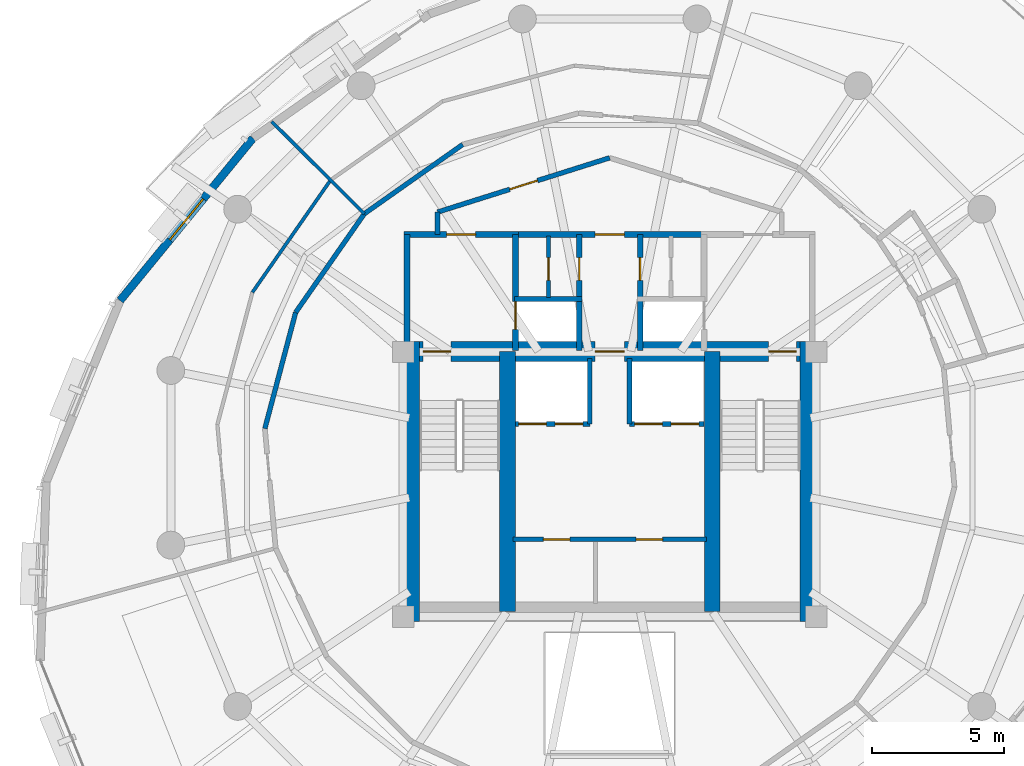
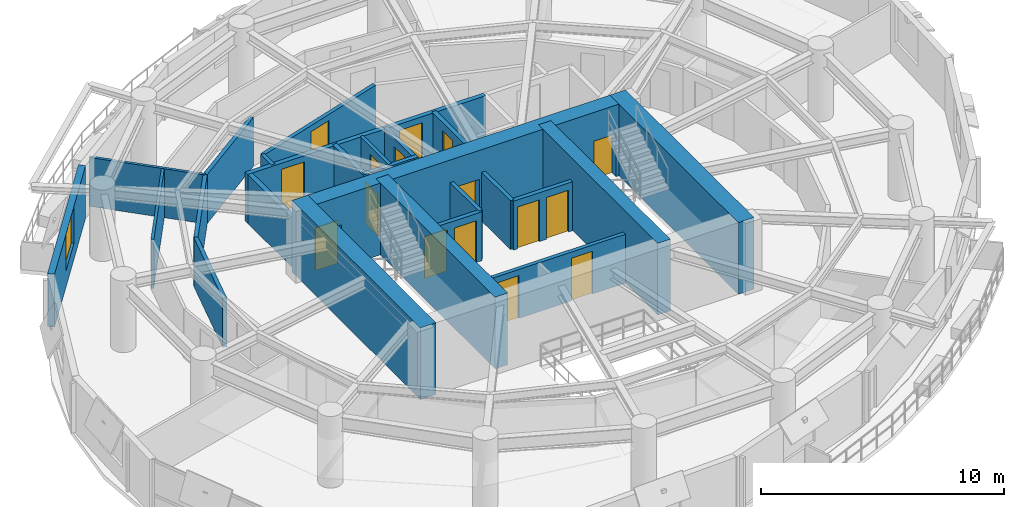
# One storey, part 7 of 11: 26 walls, 16 doors, 1 window, 17 openings.
"""IFC4 building model written with IfcOpenShell, lengths in metres."""

from ifc_helpers import new_model, si_unit, direction, frame, frame_2d, origin, place, context, subcontext, project, spatial, rectangle, extrude, material, layer, layer_set, type_object, element, fill, save


model = new_model("IFC4")

# Units and contexts
model_context = context("Model", 3, precision=1e-05, world=origin(), true_north=direction((0.0, 1.0)))
body_context = subcontext(model_context, "Body", "Model", "MODEL_VIEW")
ifc_project = project(units=[si_unit("LENGTHUNIT", "METRE"), si_unit("AREAUNIT", "SQUARE_METRE"), si_unit("VOLUMEUNIT", "CUBIC_METRE"), si_unit("PLANEANGLEUNIT", "RADIAN"), si_unit("MASSUNIT", "GRAM", prefix="KILO"), si_unit("THERMODYNAMICTEMPERATUREUNIT", "KELVIN"), si_unit("POWERUNIT", "WATT")], contexts=[model_context])

# Site, building, storey
site_placement = place(None, origin())
site = spatial("IfcSite", under=ifc_project, at=site_placement, CompositionType="ELEMENT")
building_placement = place(site_placement, origin())
building = spatial("IfcBuilding", under=site, at=building_placement, Name="Ocrelia Relay Tower", CompositionType="ELEMENT")
storey_placement = place(building_placement, frame((0.0, 0.0, 180.800048828125)))
storey = spatial("IfcBuildingStorey", under=building, at=storey_placement, Name="L43", CompositionType="ELEMENT", Elevation=180.800048828125)

# Wall, openings, doors
ifc_material_1 = material(Name="Concrete C60/75", Category="concrete")
ifc_layer_1 = layer(ifc_material_1, 0.75, Name="Concrete C60/75")
ifc_layer_set_1 = layer_set([ifc_layer_1], Name="Concrete C60/75")
wall_type_1 = type_object("IfcWallType", Name="CW-CORE-750", PredefinedType="SHEAR", material=ifc_layer_set_1)
wall_1_placement = place(storey_placement, frame((26.072021484375, 30.012939453125, 0.0), z_axis=(0.0, 0.0, 1.0), x_axis=(1.0, 0.0, 0.0)))
wall_1 = element("IfcWall", 1, at=wall_1_placement, inside=storey, type_object=wall_type_1, Name="L43 Core Shear Wall N", PredefinedType="SHEAR", context=body_context, shape_type="SweptSolid", body=[
    extrude(rectangle(XDim=15.865966796875, YDim=0.75, at=frame_2d((7.93310546875, 0.0))), origin(), (0.0, 0.0, 1.0), 3.599853515625),
])
opening_1_placement = place(wall_1_placement, frame((0.8779296875, 0.0, 0.0)))
opening_1 = element("IfcOpeningElement", 2, at=opening_1_placement, cuts=wall_1, Name="Opening D-FD90", PredefinedType="OPENING", context=body_context, shape_type="SweptSolid", body=[
    extrude(rectangle(XDim=1.050048828125, YDim=2.14990234375, at=frame_2d((0.52490234375, 1.074951171875))), frame((0.0, 0.385009765625, 0.0), z_axis=(0.0, -1.0, 0.0), x_axis=(1.0, 0.0, 0.0)), (0.0, 0.0, 1.0), 0.77001953125),
])
opening_2_placement = place(wall_1_placement, frame((13.927978515625, 0.0, 0.0)))
opening_2 = element("IfcOpeningElement", 3, at=opening_2_placement, cuts=wall_1, Name="Opening D-FD90", PredefinedType="OPENING", context=body_context, shape_type="SweptSolid", body=[
    extrude(rectangle(XDim=1.050048828125, YDim=2.14990234375, at=frame_2d((0.52490234375, 1.074951171875))), frame((0.0, 0.385009765625, 0.0), z_axis=(0.0, -1.0, 0.0), x_axis=(1.0, 0.0, 0.0)), (0.0, 0.0, 1.0), 0.77001953125),
])
opening_3_placement = place(wall_1_placement, frame((7.3779296875, 0.0, 0.0)))
opening_3 = element("IfcOpeningElement", 4, at=opening_3_placement, cuts=wall_1, Name="Opening D-FD60", PredefinedType="OPENING", context=body_context, shape_type="SweptSolid", body=[
    extrude(rectangle(XDim=1.10009765625, YDim=2.14990234375, at=frame_2d((0.550048828125, 1.074951171875))), frame((0.0, 0.385009765625, 0.0), z_axis=(0.0, -1.0, 0.0), x_axis=(1.0, 0.0, 0.0)), (0.0, 0.0, 1.0), 0.77001953125),
])
ifc_material_2 = material(Name="Timber-core 60-min acoustic fire door", Category="wood")
door_type_1 = type_object("IfcDoorType", Name="DR-LOBBY-FD60-1100", OperationType="NOTDEFINED", PredefinedType="DOOR", material=ifc_material_2)
door_1_placement = place(opening_3_placement, origin())
door_1 = element("IfcDoor", 5, at=door_1_placement, inside=storey, type_object=door_type_1, Name="L43 Core Lift Lobby North Fire Door", OperationType="SINGLE_SWING_RIGHT", OverallHeight=2.14990234375, OverallWidth=1.10009765625, PredefinedType="DOOR", context=body_context, shape_type="SweptSolid", body=[
    extrude(rectangle(XDim=1.10009765625, YDim=2.14990234375, at=frame_2d((0.550048828125, 1.074951171875))), frame((0.0, 0.02490234375, 0.0), z_axis=(0.0, -1.0, 0.0), x_axis=(1.0, 0.0, 0.0)), (0.0, 0.0, 1.0), 0.050048828125),
])
fill(opening_3, door_1)
ifc_material_3 = material(Name="Steel S355 90-min fire door", Category="steel")
door_type_2 = type_object("IfcDoorType", Name="DR-STAIR-FD90-1050", OperationType="NOTDEFINED", PredefinedType="DOOR", material=ifc_material_3)
door_2_placement = place(opening_1_placement, origin())
door_2 = element("IfcDoor", 6, at=door_2_placement, inside=storey, type_object=door_type_2, Name="L43 Stair ST1 Fire Door", OperationType="SINGLE_SWING_RIGHT", OverallHeight=2.14990234375, OverallWidth=1.050048828125, PredefinedType="DOOR", context=body_context, shape_type="SweptSolid", body=[
    extrude(rectangle(XDim=1.050048828125, YDim=2.14990234375, at=frame_2d((0.52490234375, 1.074951171875))), frame((0.0, 0.02490234375, 0.0), z_axis=(0.0, -1.0, 0.0), x_axis=(1.0, 0.0, 0.0)), (0.0, 0.0, 1.0), 0.050048828125),
])
fill(opening_1, door_2)
door_3_placement = place(opening_2_placement, origin())
door_3 = element("IfcDoor", 7, at=door_3_placement, inside=storey, type_object=door_type_2, Name="L43 Stair ST2 Fire Door", OperationType="SINGLE_SWING_LEFT", OverallHeight=2.14990234375, OverallWidth=1.050048828125, PredefinedType="DOOR", context=body_context, shape_type="SweptSolid", body=[
    extrude(rectangle(XDim=1.050048828125, YDim=2.14990234375, at=frame_2d((0.52490234375, 1.074951171875))), frame((0.0, 0.02490234375, 0.0), z_axis=(0.0, -1.0, 0.0), x_axis=(1.0, 0.0, 0.0)), (0.0, 0.0, 1.0), 0.050048828125),
])
fill(opening_2, door_3)

# Walls
for number, where, z_axis, x_axis, name in (
    (8, (26.447021484375, 19.81201171875, 0.0), (0.0, 0.0, 1.0), (0.0, 1.0, 0.0), "L43 Core Shear Wall W"),
    (9, (41.56298828125, 19.81201171875, 0.0), (0.0, 0.0, 1.0), (0.0, 1.0, 0.0), "L43 Core Shear Wall E"),
):
    element("IfcWall", number, at=place(storey_placement, frame(where, z_axis=z_axis, x_axis=x_axis)), inside=storey, type_object=wall_type_1, Name=name, PredefinedType="SHEAR", context=body_context, shape_type="SweptSolid", body=[
        extrude(rectangle(XDim=10.575927734375, YDim=0.75, at=frame_2d((5.2880859375, 0.0))), origin(), (0.0, 0.0, 1.0), 3.599853515625),
    ])
for number, where, z_axis, x_axis, name in (
    (10, (30.137939453125, 20.18701171875, 0.0), (0.0, 0.0, 1.0), (0.0, 1.0, 0.0), "L43 Core Shear Wall SPW"),
    (11, (37.8720703125, 20.18701171875, 0.0), (0.0, 0.0, 1.0), (0.0, 1.0, 0.0), "L43 Core Shear Wall SPE"),
):
    element("IfcWall", number, at=place(storey_placement, frame(where, z_axis=z_axis, x_axis=x_axis)), inside=storey, type_object=wall_type_1, Name=name, PredefinedType="SHEAR", context=body_context, shape_type="SweptSolid", body=[
        extrude(rectangle(XDim=9.825927734375, YDim=0.60009765625, at=frame_2d((4.9130859375, 0.0))), origin(), (0.0, 0.0, 1.0), 3.599853515625),
    ])

# Wall, openings, doors
ifc_material_4 = material(Name="Gypsum Fireboard Partition EI60", Category="gypsum")
ifc_layer_2 = layer(ifc_material_4, 0.179931640625, Name="Gypsum Fireboard Partition EI60")
ifc_layer_set_2 = layer_set([ifc_layer_2], Name="Gypsum Fireboard Partition EI60")
wall_type_2 = type_object("IfcWallType", Name="W-CORR-EI60-180", PredefinedType="PARTITIONING", material=ifc_layer_set_2)
wall_2_placement = place(storey_placement, frame((30.35009765625, 22.919921875, 0.0), z_axis=(0.0, 0.0, 1.0), x_axis=(1.0, 0.0, 0.0)))
wall_2 = element("IfcWall", 12, at=wall_2_placement, inside=storey, type_object=wall_type_2, Name="L43 Reclaimed Core Room Partition", PredefinedType="PARTITIONING", context=body_context, shape_type="SweptSolid", body=[
    extrude(rectangle(XDim=7.2998046875, YDim=0.179931640625, at=frame_2d((3.64990234375, 0.0))), origin(), (0.0, 0.0, 1.0), 2.4599609375),
])
opening_4_placement = place(wall_2_placement, frame((1.14990234375, 0.0, 0.0)))
opening_4 = element("IfcOpeningElement", 13, at=opening_4_placement, cuts=wall_2, Name="Opening D-RM100", PredefinedType="OPENING", context=body_context, shape_type="SweptSolid", body=[
    extrude(rectangle(XDim=1.0, YDim=2.14990234375, at=frame_2d((0.5, 1.074951171875))), frame((0.0, 0.10009765625, 0.0), z_axis=(0.0, -1.0, 0.0), x_axis=(1.0, 0.0, 0.0)), (0.0, 0.0, 1.0), 0.199951171875),
])
opening_5_placement = place(wall_2_placement, frame((4.64990234375, 0.0, 0.0)))
opening_5 = element("IfcOpeningElement", 14, at=opening_5_placement, cuts=wall_2, Name="Opening D-RM100", PredefinedType="OPENING", context=body_context, shape_type="SweptSolid", body=[
    extrude(rectangle(XDim=1.0, YDim=2.14990234375, at=frame_2d((0.5, 1.074951171875))), frame((0.0, 0.10009765625, 0.0), z_axis=(0.0, -1.0, 0.0), x_axis=(1.0, 0.0, 0.0)), (0.0, 0.0, 1.0), 0.199951171875),
])
ifc_material_5 = material(Name="Acoustic oak veneer fire door", Category="wood")
door_type_3 = type_object("IfcDoorType", Name="DR-ROOM-FD60-1000", OperationType="NOTDEFINED", PredefinedType="DOOR", material=ifc_material_5)
door_4_placement = place(opening_4_placement, origin())
door_4 = element("IfcDoor", 15, at=door_4_placement, inside=storey, type_object=door_type_3, Name="L43 Reclaimed Core Room 1 Door", OperationType="SINGLE_SWING_RIGHT", OverallHeight=2.14990234375, OverallWidth=1.0, PredefinedType="DOOR", context=body_context, shape_type="SweptSolid", body=[
    extrude(rectangle(XDim=1.0, YDim=2.14990234375, at=frame_2d((0.5, 1.074951171875))), frame((0.0, 0.02490234375, 0.0), z_axis=(0.0, -1.0, 0.0), x_axis=(1.0, 0.0, 0.0)), (0.0, 0.0, 1.0), 0.050048828125),
])
fill(opening_4, door_4)
door_5_placement = place(opening_5_placement, origin())
door_5 = element("IfcDoor", 16, at=door_5_placement, inside=storey, type_object=door_type_3, Name="L43 Reclaimed Core Room 2 Door", OperationType="SINGLE_SWING_LEFT", OverallHeight=2.14990234375, OverallWidth=1.0, PredefinedType="DOOR", context=body_context, shape_type="SweptSolid", body=[
    extrude(rectangle(XDim=1.0, YDim=2.14990234375, at=frame_2d((0.5, 1.074951171875))), frame((0.0, 0.02490234375, 0.0), z_axis=(0.0, -1.0, 0.0), x_axis=(1.0, 0.0, 0.0)), (0.0, 0.0, 1.0), 0.050048828125),
])
fill(opening_5, door_5)

# Wall
wall_3_placement = place(storey_placement, frame((27.5, 34.429931640625, 0.0), z_axis=(0.0, 0.0, 1.0), x_axis=(0.0, 1.0, 0.0)))
element("IfcWall", 17, at=wall_3_placement, inside=storey, type_object=wall_type_2, Name="L43 Smoke Lobby West Return", PredefinedType="PARTITIONING", context=body_context, shape_type="SweptSolid", body=[
    extrude(rectangle(XDim=0.85009765625, YDim=0.179931640625, at=frame_2d((0.425048828125, 0.0))), origin(), (0.0, 0.0, 1.0), 2.4599609375),
])

# Wall, opening, door
wall_4_placement = place(storey_placement, frame((27.5, 35.280029296875, 0.0), z_axis=(0.0, 0.0, 1.0), x_axis=(0.953691418528, 0.300786765376, 0.0)))
wall_4 = element("IfcWall", 18, at=wall_4_placement, inside=storey, type_object=wall_type_2, Name="L43 North Smoke Lobby W Screen Wall", PredefinedType="PARTITIONING", context=body_context, shape_type="SweptSolid", body=[
    extrude(rectangle(XDim=6.815673828125, YDim=0.179931640625, at=frame_2d((3.40771484375, 0.0))), origin(), (0.0, 0.0, 1.0), 2.4599609375),
])
opening_6_placement = place(wall_4_placement, frame((2.85791015625, 0.0, 0.0)))
opening_6 = element("IfcOpeningElement", 19, at=opening_6_placement, cuts=wall_4, Name="Opening D-FD60", PredefinedType="OPENING", context=body_context, shape_type="SweptSolid", body=[
    extrude(rectangle(XDim=1.10009765625, YDim=2.14990234375, at=frame_2d((0.550048828125, 1.074951171875))), frame((0.0, 0.10009765625, 0.0), z_axis=(0.0, -1.0, 0.0), x_axis=(1.0, 0.0, 0.0)), (0.0, 0.0, 1.0), 0.199951171875),
])
door_6_placement = place(opening_6_placement, origin())
door_6 = element("IfcDoor", 20, at=door_6_placement, inside=storey, type_object=door_type_1, Name="L43 North Smoke Lobby W Fire Door", OperationType="SINGLE_SWING_RIGHT", OverallHeight=2.14990234375, OverallWidth=1.10009765625, PredefinedType="DOOR", context=body_context, shape_type="SweptSolid", body=[
    extrude(rectangle(XDim=1.10009765625, YDim=2.14990234375, at=frame_2d((0.550048828125, 1.074951171875))), frame((0.0, 0.02490234375, 0.0), z_axis=(0.0, -1.0, 0.0), x_axis=(1.0, 0.0, 0.0)), (0.0, 0.0, 1.0), 0.050048828125),
])
fill(opening_6, door_6)

# Walls
for number, where, z_axis, x_axis, name in (
    (21, (28.4453125, 37.830810546875, 0.0), (0.0, 0.0, 1.0), (-0.817672323989, -0.575683915515, 0.0), "L43 Cloud Engineering Workspace Corridor Partition 3"),
    (22, (24.73388671875, 35.2177734375, 0.0), (0.0, 0.0, 1.0), (-0.571417432894, -0.820659562416, 0.0), "L43 Innovation Club Room Corridor Partition 1"),
):
    element("IfcWall", number, at=place(storey_placement, frame(where, z_axis=z_axis, x_axis=x_axis)), inside=storey, type_object=wall_type_2, Name=name, PredefinedType="PARTITIONING", context=body_context, shape_type="SweptSolid", body=[
        extrude(rectangle(XDim=4.5390625, YDim=0.179931640625, at=frame_2d((2.26953125, 0.0))), origin(), (0.0, 0.0, 1.0), 2.4599609375),
    ])
wall_5_placement = place(storey_placement, frame((22.14013671875, 31.49267578125, 0.0), z_axis=(0.0, 0.0, 1.0), x_axis=(-0.256279852774, -0.966602626244, 0.0)))
element("IfcWall", 23, at=wall_5_placement, inside=storey, type_object=wall_type_2, Name="L43 Innovation Club Room Corridor Partition 2", PredefinedType="PARTITIONING", context=body_context, shape_type="SweptSolid", body=[
    extrude(rectangle(XDim=4.539306640625, YDim=0.179931640625, at=frame_2d((2.26953125, 0.0))), origin(), (0.0, 0.0, 1.0), 2.4599609375),
])

# Wall, opening, window
ifc_material_6 = material(Name="Precast concrete C40/50 with oxide terracotta", Category="masonry")
ifc_layer_3 = layer(ifc_material_6, 0.300048828125, Name="Precast concrete C40/50 with oxide terracotta")
ifc_layer_set_3 = layer_set([ifc_layer_3], Name="Precast concrete C40/50 with oxide terracotta")
wall_type_3 = type_object("IfcWallType", Name="W-EXT-TERR-300", PredefinedType="SOLIDWALL", material=ifc_layer_set_3)
wall_6_placement = place(storey_placement, frame((20.52880859375, 38.07421875, 0.0), z_axis=(0.0, 0.0, 1.0), x_axis=(-0.633273009349, -0.773928482245, 0.0)))
wall_6 = element("IfcWall", 24, at=wall_6_placement, inside=storey, type_object=wall_type_3, Name="L43 Oxide Terracotta Facade Wall 06", PredefinedType="SOLIDWALL", context=body_context, shape_type="SweptSolid", body=[
    extrude(rectangle(XDim=7.927001953125, YDim=0.300048828125, at=frame_2d((3.96337890625, 0.0))), origin(), (0.0, 0.0, 1.0), 2.659912109375),
])
opening_7_placement = place(wall_6_placement, frame((2.964111328125, 0.0, 0.800048828125)))
opening_7 = element("IfcOpeningElement", 25, at=opening_7_placement, cuts=wall_6, Name="Opening W-03", PredefinedType="OPENING", context=body_context, shape_type="SweptSolid", body=[
    extrude(rectangle(XDim=2.0, YDim=1.85009765625, at=frame_2d((1.0, 0.925048828125))), frame((0.0, 0.16015625, 0.0), z_axis=(0.0, -1.0, 0.0), x_axis=(1.0, 0.0, 0.0)), (0.0, 0.0, 1.0), 0.320068359375),
])
ifc_material_7 = material(Name="Clear double-glazed low-E glass", Category="glass")
window_type = type_object("IfcWindowType", Name="WIN-Z3-2000x2200", PartitioningType="DOUBLE_PANEL_VERTICAL", PredefinedType="WINDOW", material=ifc_material_7)
window_placement = place(opening_7_placement, origin())
window = element("IfcWindow", 26, at=window_placement, inside=storey, type_object=window_type, Name="L43 Facade Module Window 06", OverallHeight=1.85009765625, OverallWidth=2.0, PartitioningType="SINGLE_PANEL", PredefinedType="WINDOW", context=body_context, shape_type="SweptSolid", body=[
    extrude(rectangle(XDim=2.0, YDim=1.85009765625, at=frame_2d((1.0, 0.925048828125))), frame((0.0, 0.030029296875, 0.0), z_axis=(0.0, -1.0, 0.0), x_axis=(1.0, 0.0, 0.0)), (0.0, 0.0, 1.0), 0.06005859375),
])
fill(opening_7, window)

# Wall
ifc_material_8 = material(Name="Concrete C50/60", Category="concrete")
ifc_layer_4 = layer(ifc_material_8, 0.219970703125, Name="Concrete C50/60")
ifc_layer_set_4 = layer_set([ifc_layer_4], Name="Concrete C50/60")
wall_type_4 = type_object("IfcWallType", Name="W-FFL-EI120-220", PredefinedType="SOLIDWALL", material=ifc_layer_set_4)
wall_7_placement = place(storey_placement, frame((26.35009765625, 30.050048828125, 0.0), z_axis=(0.0, 0.0, 1.0), x_axis=(0.0, 1.0, 0.0)))
element("IfcWall", 27, at=wall_7_placement, inside=storey, type_object=wall_type_4, Name="L43 W Fire Service Lift Lobby West Wall", PredefinedType="SOLIDWALL", context=body_context, shape_type="SweptSolid", body=[
    extrude(rectangle(XDim=4.3798828125, YDim=0.219970703125, at=frame_2d((2.18994140625, 0.0))), origin(), (0.0, 0.0, 1.0), 2.4599609375),
])

# Wall, opening, door
wall_8_placement = place(storey_placement, frame((30.43994140625, 30.050048828125, 0.0), z_axis=(0.0, 0.0, 1.0), x_axis=(0.0, 1.0, 0.0)))
wall_8 = element("IfcWall", 28, at=wall_8_placement, inside=storey, type_object=wall_type_4, Name="L43 W Fire Service Lift Lobby East Wall", PredefinedType="SOLIDWALL", context=body_context, shape_type="SweptSolid", body=[
    extrude(rectangle(XDim=4.3798828125, YDim=0.219970703125, at=frame_2d((2.18994140625, 0.0))), origin(), (0.0, 0.0, 1.0), 2.4599609375),
])
opening_8_placement = place(wall_8_placement, frame((0.800048828125, 0.0, 0.0)))
opening_8 = element("IfcOpeningElement", 29, at=opening_8_placement, cuts=wall_8, Name="Opening LD-FFL1", PredefinedType="OPENING", context=body_context, shape_type="SweptSolid", body=[
    extrude(rectangle(XDim=1.050048828125, YDim=2.10009765625, at=frame_2d((0.52490234375, 1.050048828125))), frame((0.0, 0.1201171875, 0.0), z_axis=(0.0, -1.0, 0.0), x_axis=(1.0, 0.0, 0.0)), (0.0, 0.0, 1.0), 0.239990234375),
])
ifc_material_9 = material(Name="Brushed stainless steel S355 lift landing door", Category="steel")
door_type_4 = type_object("IfcDoorType", Name="DR-LIFT-LAND-1050", OperationType="DOUBLE_DOOR_SLIDING", PredefinedType="USERDEFINED", material=ifc_material_9)
door_7_placement = place(opening_8_placement, origin())
door_7 = element("IfcDoor", 30, at=door_7_placement, inside=storey, type_object=door_type_4, Name="L43 Firefighting Lift FFL1 Sliding Landing Door", ObjectType="LANDING DOOR", OperationType="DOUBLE_DOOR_SLIDING", OverallHeight=2.10009765625, OverallWidth=1.050048828125, PredefinedType="USERDEFINED", context=body_context, shape_type="SweptSolid", body=[
    extrude(rectangle(XDim=1.050048828125, YDim=2.10009765625, at=frame_2d((0.52490234375, 1.050048828125))), frame((0.0, 0.02490234375, 0.0), z_axis=(0.0, -1.0, 0.0), x_axis=(1.0, 0.0, 0.0)), (0.0, 0.0, 1.0), 0.050048828125),
])
fill(opening_8, door_7)

wall_9_placement = place(storey_placement, frame((26.239990234375, 34.429931640625, 0.0), z_axis=(0.0, 0.0, 1.0), x_axis=(1.0, 0.0, 0.0)))
wall_9 = element("IfcWall", 31, at=wall_9_placement, inside=storey, type_object=wall_type_4, Name="L43 W Fire Service Lift Lobby North Wall", PredefinedType="SOLIDWALL", context=body_context, shape_type="SweptSolid", body=[
    extrude(rectangle(XDim=4.31005859375, YDim=0.219970703125, at=frame_2d((2.155029296875, 0.0))), origin(), (0.0, 0.0, 1.0), 2.4599609375),
])
opening_9_placement = place(wall_9_placement, frame((1.60009765625, 0.0, 0.0)))
opening_9 = element("IfcOpeningElement", 32, at=opening_9_placement, cuts=wall_9, Name="Opening D-FD60", PredefinedType="OPENING", context=body_context, shape_type="SweptSolid", body=[
    extrude(rectangle(XDim=1.10009765625, YDim=2.14990234375, at=frame_2d((0.550048828125, 1.074951171875))), frame((0.0, 0.1201171875, 0.0), z_axis=(0.0, -1.0, 0.0), x_axis=(1.0, 0.0, 0.0)), (0.0, 0.0, 1.0), 0.239990234375),
])
door_8_placement = place(opening_9_placement, origin())
door_8 = element("IfcDoor", 33, at=door_8_placement, inside=storey, type_object=door_type_1, Name="L43 W Fire Service Lift Lobby Exit Door", OperationType="SINGLE_SWING_LEFT", OverallHeight=2.14990234375, OverallWidth=1.10009765625, PredefinedType="DOOR", context=body_context, shape_type="SweptSolid", body=[
    extrude(rectangle(XDim=1.10009765625, YDim=2.14990234375, at=frame_2d((0.550048828125, 1.074951171875))), frame((0.0, 0.02490234375, 0.0), z_axis=(0.0, -1.0, 0.0), x_axis=(1.0, 0.0, 0.0)), (0.0, 0.0, 1.0), 0.050048828125),
])
fill(opening_9, door_8)

wall_10_placement = place(storey_placement, frame((30.43994140625, 34.429931640625, 0.0), z_axis=(0.0, 0.0, 1.0), x_axis=(1.0, 0.0, 0.0)))
wall_10 = element("IfcWall", 34, at=wall_10_placement, inside=storey, type_object=wall_type_4, Name="L43 North Core Vestibule Wall", PredefinedType="SOLIDWALL", context=body_context, shape_type="SweptSolid", body=[
    extrude(rectangle(XDim=7.1201171875, YDim=0.219970703125, at=frame_2d((3.56005859375, 0.0))), origin(), (0.0, 0.0, 1.0), 2.4599609375),
])
opening_10_placement = place(wall_10_placement, frame((3.010009765625, 0.0, 0.0)))
opening_10 = element("IfcOpeningElement", 35, at=opening_10_placement, cuts=wall_10, Name="Opening D-FD60", PredefinedType="OPENING", context=body_context, shape_type="SweptSolid", body=[
    extrude(rectangle(XDim=1.10009765625, YDim=2.14990234375, at=frame_2d((0.550048828125, 1.074951171875))), frame((0.0, 0.1201171875, 0.0), z_axis=(0.0, -1.0, 0.0), x_axis=(1.0, 0.0, 0.0)), (0.0, 0.0, 1.0), 0.239990234375),
])
door_9_placement = place(opening_10_placement, origin())
door_9 = element("IfcDoor", 36, at=door_9_placement, inside=storey, type_object=door_type_1, Name="L43 North Core Vestibule Corridor Door", OperationType="SINGLE_SWING_LEFT", OverallHeight=2.14990234375, OverallWidth=1.10009765625, PredefinedType="DOOR", context=body_context, shape_type="SweptSolid", body=[
    extrude(rectangle(XDim=1.10009765625, YDim=2.14990234375, at=frame_2d((0.550048828125, 1.074951171875))), frame((0.0, 0.02490234375, 0.0), z_axis=(0.0, -1.0, 0.0), x_axis=(1.0, 0.0, 0.0)), (0.0, 0.0, 1.0), 0.050048828125),
])
fill(opening_10, door_9)

# Walls
ifc_material_10 = material(Name="Acoustic Fireboard Partition EI60", Category="gypsum")
ifc_layer_5 = layer(ifc_material_10, 0.125, Name="Acoustic Fireboard Partition EI60")
ifc_layer_set_5 = layer_set([ifc_layer_5], Name="Acoustic Fireboard Partition EI60")
wall_type_5 = type_object("IfcWallType", Name="W-PART-125", PredefinedType="PARTITIONING", material=ifc_layer_set_5)
wall_11_placement = place(storey_placement, frame((24.73388671875, 35.2177734375, 0.0), z_axis=(0.0, 0.0, 1.0), x_axis=(-0.708981208515, 0.705227371826, 0.0)))
element("IfcWall", 37, at=wall_11_placement, inside=storey, type_object=wall_type_5, Name="L43 Cloud Engineering Workspace Radial Partition", PredefinedType="PARTITIONING", context=body_context, shape_type="SweptSolid", body=[
    extrude(rectangle(XDim=4.94287109375, YDim=0.125, at=frame_2d((2.471435546875, 0.0))), origin(), (0.0, 0.0, 1.0), 2.4599609375),
])
wall_12_placement = place(storey_placement, frame((23.457763671875, 36.487060546875, 0.0), z_axis=(0.0, 0.0, 1.0), x_axis=(-0.571420416911, -0.820657484666, 0.0)))
element("IfcWall", 38, at=wall_12_placement, inside=storey, type_object=wall_type_5, Name="L43 Perimeter Innovation Club Room Mid-Ring Partition 1", PredefinedType="PARTITIONING", context=body_context, shape_type="SweptSolid", body=[
    extrude(rectangle(XDim=5.164306640625, YDim=0.125, at=frame_2d((2.58203125, 0.0))), origin(), (0.0, 0.0, 1.0), 2.4599609375),
])

# Wall, opening, door
ifc_layer_6 = layer(ifc_material_10, 0.14990234375, Name="Acoustic Fireboard Partition EI60")
ifc_layer_set_6 = layer_set([ifc_layer_6], Name="Acoustic Fireboard Partition EI60")
wall_type_6 = type_object("IfcWallType", Name="W-PART-150", PredefinedType="PARTITIONING", material=ifc_layer_set_6)
wall_13_placement = place(storey_placement, frame((31.68994140625, 32.050048828125, 0.0), z_axis=(0.0, 0.0, 1.0), x_axis=(0.0, 1.0, 0.0)))
wall_13 = element("IfcWall", 39, at=wall_13_placement, inside=storey, type_object=wall_type_6, Name="L43 West Core Support Partition", PredefinedType="PARTITIONING", context=body_context, shape_type="SweptSolid", body=[
    extrude(rectangle(XDim=2.329833984375, YDim=0.14990234375, at=frame_2d((1.1650390625, 0.0))), origin(), (0.0, 0.0, 1.0), 2.4599609375),
])
opening_11_placement = place(wall_13_placement, frame((0.64990234375, 0.0, 0.0)))
opening_11 = element("IfcOpeningElement", 40, at=opening_11_placement, cuts=wall_13, Name="Opening D-RS86", PredefinedType="OPENING", context=body_context, shape_type="SweptSolid", body=[
    extrude(rectangle(XDim=0.860107421875, YDim=2.050048828125, at=frame_2d((0.43017578125, 1.02490234375))), frame((0.0, 0.0849609375, 0.0), z_axis=(0.0, -1.0, 0.0), x_axis=(1.0, 0.0, 0.0)), (0.0, 0.0, 1.0), 0.169921875),
])
ifc_material_11 = material(Name="Steel S355 riser access fire door", Category="steel")
door_type_5 = type_object("IfcDoorType", Name="DR-RISER-TRAP-860", OperationType="NOTDEFINED", PredefinedType="TRAPDOOR", material=ifc_material_11)
door_10_placement = place(opening_11_placement, origin())
door_10 = element("IfcDoor", 41, at=door_10_placement, inside=storey, type_object=door_type_5, Name="L43 West Core Store Connecting Door", OperationType="SINGLE_SWING_RIGHT", OverallHeight=2.050048828125, OverallWidth=0.860107421875, PredefinedType="TRAPDOOR", context=body_context, shape_type="SweptSolid", body=[
    extrude(rectangle(XDim=0.860107421875, YDim=2.050048828125, at=frame_2d((0.43017578125, 1.02490234375))), frame((0.0, 0.02490234375, 0.0), z_axis=(0.0, -1.0, 0.0), x_axis=(1.0, 0.0, 0.0)), (0.0, 0.0, 1.0), 0.050048828125),
])
fill(opening_11, door_10)

# Wall
ifc_layer_7 = layer(ifc_material_8, 0.199951171875, Name="Concrete C50/60")
ifc_layer_set_7 = layer_set([ifc_layer_7], Name="Concrete C50/60")
wall_type_7 = type_object("IfcWallType", Name="W-SHAFT-EI120-200", PredefinedType="SOLIDWALL", material=ifc_layer_set_7)
wall_14_placement = place(storey_placement, frame((30.39990234375, 32.0, 0.0), z_axis=(0.0, 0.0, 1.0), x_axis=(1.0, 0.0, 0.0)))
element("IfcWall", 42, at=wall_14_placement, inside=storey, type_object=wall_type_7, Name="L43 FFL1 Hoistway North Wall", PredefinedType="SOLIDWALL", context=body_context, shape_type="SweptSolid", body=[
    extrude(rectangle(XDim=2.550048828125, YDim=0.199951171875, at=frame_2d((1.27490234375, 0.0))), origin(), (0.0, 0.0, 1.0), 2.4599609375),
])

# Wall, opening, door
wall_15_placement = place(storey_placement, frame((32.85009765625, 30.050048828125, 0.0), z_axis=(0.0, 0.0, 1.0), x_axis=(0.0, 1.0, 0.0)))
wall_15 = element("IfcWall", 43, at=wall_15_placement, inside=storey, type_object=wall_type_7, Name="L43 FFL1 and Service Vestibule Wall", PredefinedType="SOLIDWALL", context=body_context, shape_type="SweptSolid", body=[
    extrude(rectangle(XDim=4.3798828125, YDim=0.199951171875, at=frame_2d((2.18994140625, 0.0))), origin(), (0.0, 0.0, 1.0), 2.4599609375),
])
opening_12_placement = place(wall_15_placement, frame((2.64990234375, 0.0, 0.0)))
opening_12 = element("IfcOpeningElement", 44, at=opening_12_placement, cuts=wall_15, Name="Opening D-RS86", PredefinedType="OPENING", context=body_context, shape_type="SweptSolid", body=[
    extrude(rectangle(XDim=0.860107421875, YDim=2.050048828125, at=frame_2d((0.43017578125, 1.02490234375))), frame((0.0, 0.10986328125, 0.0), z_axis=(0.0, -1.0, 0.0), x_axis=(1.0, 0.0, 0.0)), (0.0, 0.0, 1.0), 0.219970703125),
])
door_11_placement = place(opening_12_placement, origin())
door_11 = element("IfcDoor", 45, at=door_11_placement, inside=storey, type_object=door_type_5, Name="L43 Core Support Room W Door", OperationType="SINGLE_SWING_RIGHT", OverallHeight=2.050048828125, OverallWidth=0.860107421875, PredefinedType="TRAPDOOR", context=body_context, shape_type="SweptSolid", body=[
    extrude(rectangle(XDim=0.860107421875, YDim=2.050048828125, at=frame_2d((0.43017578125, 1.02490234375))), frame((0.0, 0.02490234375, 0.0), z_axis=(0.0, -1.0, 0.0), x_axis=(1.0, 0.0, 0.0)), (0.0, 0.0, 1.0), 0.050048828125),
])
fill(opening_12, door_11)

wall_16_placement = place(storey_placement, frame((35.14990234375, 30.050048828125, 0.0), z_axis=(0.0, 0.0, 1.0), x_axis=(0.0, 1.0, 0.0)))
wall_16 = element("IfcWall", 46, at=wall_16_placement, inside=storey, type_object=wall_type_7, Name="L43 FFL2 and Service Vestibule Wall", PredefinedType="SOLIDWALL", context=body_context, shape_type="SweptSolid", body=[
    extrude(rectangle(XDim=4.3798828125, YDim=0.199951171875, at=frame_2d((2.18994140625, 0.0))), origin(), (0.0, 0.0, 1.0), 2.4599609375),
])
opening_13_placement = place(wall_16_placement, frame((2.64990234375, 0.0, 0.0)))
opening_13 = element("IfcOpeningElement", 47, at=opening_13_placement, cuts=wall_16, Name="Opening D-RS86", PredefinedType="OPENING", context=body_context, shape_type="SweptSolid", body=[
    extrude(rectangle(XDim=0.860107421875, YDim=2.050048828125, at=frame_2d((0.43017578125, 1.02490234375))), frame((0.0, 0.10986328125, 0.0), z_axis=(0.0, -1.0, 0.0), x_axis=(1.0, 0.0, 0.0)), (0.0, 0.0, 1.0), 0.219970703125),
])
door_12_placement = place(opening_13_placement, origin())
door_12 = element("IfcDoor", 48, at=door_12_placement, inside=storey, type_object=door_type_5, Name="L43 Core Support Room E Door", OperationType="SINGLE_SWING_RIGHT", OverallHeight=2.050048828125, OverallWidth=0.860107421875, PredefinedType="TRAPDOOR", context=body_context, shape_type="SweptSolid", body=[
    extrude(rectangle(XDim=0.860107421875, YDim=2.050048828125, at=frame_2d((0.43017578125, 1.02490234375))), frame((0.0, 0.02490234375, 0.0), z_axis=(0.0, -1.0, 0.0), x_axis=(1.0, 0.0, 0.0)), (0.0, 0.0, 1.0), 0.050048828125),
])
fill(opening_13, door_12)

# Wall, openings, doors
wall_17_placement = place(storey_placement, frame((30.43994140625, 27.280029296875, 0.0), z_axis=(0.0, 0.0, 1.0), x_axis=(1.0, 0.0, 0.0)))
wall_17 = element("IfcWall", 49, at=wall_17_placement, inside=storey, type_object=wall_type_7, Name="L43 High-Rise Lift Hoistway Wall W", PredefinedType="SOLIDWALL", context=body_context, shape_type="SweptSolid", body=[
    extrude(rectangle(XDim=2.81005859375, YDim=0.199951171875, at=frame_2d((1.405029296875, 0.0))), origin(), (0.0, 0.0, 1.0), 2.4599609375),
])
opening_14_placement = place(wall_17_placement, frame((0.1201171875, 0.0, 0.0)))
opening_14 = element("IfcOpeningElement", 50, at=opening_14_placement, cuts=wall_17, Name="Opening LD-PL5", PredefinedType="OPENING", context=body_context, shape_type="SweptSolid", body=[
    extrude(rectangle(XDim=1.050048828125, YDim=2.10009765625, at=frame_2d((0.52490234375, 1.050048828125))), frame((0.0, 0.10986328125, 0.0), z_axis=(0.0, -1.0, 0.0), x_axis=(1.0, 0.0, 0.0)), (0.0, 0.0, 1.0), 0.219970703125),
])
opening_15_placement = place(wall_17_placement, frame((1.5, 0.0, 0.0)))
opening_15 = element("IfcOpeningElement", 51, at=opening_15_placement, cuts=wall_17, Name="Opening LD-PL6", PredefinedType="OPENING", context=body_context, shape_type="SweptSolid", body=[
    extrude(rectangle(XDim=1.050048828125, YDim=2.10009765625, at=frame_2d((0.52490234375, 1.050048828125))), frame((0.0, 0.10986328125, 0.0), z_axis=(0.0, -1.0, 0.0), x_axis=(1.0, 0.0, 0.0)), (0.0, 0.0, 1.0), 0.219970703125),
])
door_13_placement = place(opening_14_placement, origin())
door_13 = element("IfcDoor", 52, at=door_13_placement, inside=storey, type_object=door_type_4, Name="L43 High-Rise Lift PL5 Sliding Landing Door", ObjectType="LANDING DOOR", OperationType="DOUBLE_DOOR_SLIDING", OverallHeight=2.10009765625, OverallWidth=1.050048828125, PredefinedType="USERDEFINED", context=body_context, shape_type="SweptSolid", body=[
    extrude(rectangle(XDim=1.050048828125, YDim=2.10009765625, at=frame_2d((0.52490234375, 1.050048828125))), frame((0.0, 0.02490234375, 0.0), z_axis=(0.0, -1.0, 0.0), x_axis=(1.0, 0.0, 0.0)), (0.0, 0.0, 1.0), 0.050048828125),
])
fill(opening_14, door_13)
door_14_placement = place(opening_15_placement, origin())
door_14 = element("IfcDoor", 53, at=door_14_placement, inside=storey, type_object=door_type_4, Name="L43 High-Rise Lift PL6 Sliding Landing Door", ObjectType="LANDING DOOR", OperationType="DOUBLE_DOOR_SLIDING", OverallHeight=2.10009765625, OverallWidth=1.050048828125, PredefinedType="USERDEFINED", context=body_context, shape_type="SweptSolid", body=[
    extrude(rectangle(XDim=1.050048828125, YDim=2.10009765625, at=frame_2d((0.52490234375, 1.050048828125))), frame((0.0, 0.02490234375, 0.0), z_axis=(0.0, -1.0, 0.0), x_axis=(1.0, 0.0, 0.0)), (0.0, 0.0, 1.0), 0.050048828125),
])
fill(opening_15, door_14)

# Wall
wall_18_placement = place(storey_placement, frame((33.25, 27.280029296875, 0.0), z_axis=(0.0, 0.0, 1.0), x_axis=(0.0, 1.0, 0.0)))
element("IfcWall", 54, at=wall_18_placement, inside=storey, type_object=wall_type_7, Name="L43 High-Rise Lift Throat Wall W", PredefinedType="SOLIDWALL", context=body_context, shape_type="SweptSolid", body=[
    extrude(rectangle(XDim=2.469970703125, YDim=0.179931640625, at=frame_2d((1.23486328125, 0.0))), origin(), (0.0, 0.0, 1.0), 2.4599609375),
])

# Wall, openings, doors
wall_19_placement = place(storey_placement, frame((34.75, 27.280029296875, 0.0), z_axis=(0.0, 0.0, 1.0), x_axis=(1.0, 0.0, 0.0)))
wall_19 = element("IfcWall", 55, at=wall_19_placement, inside=storey, type_object=wall_type_7, Name="L43 High-Rise Lift Hoistway Wall E", PredefinedType="SOLIDWALL", context=body_context, shape_type="SweptSolid", body=[
    extrude(rectangle(XDim=2.81005859375, YDim=0.199951171875, at=frame_2d((1.405029296875, 0.0))), origin(), (0.0, 0.0, 1.0), 2.4599609375),
])
opening_16_placement = place(wall_19_placement, frame((0.18994140625, 0.0, 0.0)))
opening_16 = element("IfcOpeningElement", 56, at=opening_16_placement, cuts=wall_19, Name="Opening LD-PL7", PredefinedType="OPENING", context=body_context, shape_type="SweptSolid", body=[
    extrude(rectangle(XDim=1.050048828125, YDim=2.10009765625, at=frame_2d((0.52490234375, 1.050048828125))), frame((0.0, 0.10986328125, 0.0), z_axis=(0.0, -1.0, 0.0), x_axis=(1.0, 0.0, 0.0)), (0.0, 0.0, 1.0), 0.219970703125),
])
opening_17_placement = place(wall_19_placement, frame((1.570068359375, 0.0, 0.0)))
opening_17 = element("IfcOpeningElement", 57, at=opening_17_placement, cuts=wall_19, Name="Opening LD-PL8", PredefinedType="OPENING", context=body_context, shape_type="SweptSolid", body=[
    extrude(rectangle(XDim=1.050048828125, YDim=2.10009765625, at=frame_2d((0.52490234375, 1.050048828125))), frame((0.0, 0.10986328125, 0.0), z_axis=(0.0, -1.0, 0.0), x_axis=(1.0, 0.0, 0.0)), (0.0, 0.0, 1.0), 0.219970703125),
])
door_15_placement = place(opening_16_placement, origin())
door_15 = element("IfcDoor", 58, at=door_15_placement, inside=storey, type_object=door_type_4, Name="L43 High-Rise Lift PL7 Sliding Landing Door", ObjectType="LANDING DOOR", OperationType="DOUBLE_DOOR_SLIDING", OverallHeight=2.10009765625, OverallWidth=1.050048828125, PredefinedType="USERDEFINED", context=body_context, shape_type="SweptSolid", body=[
    extrude(rectangle(XDim=1.050048828125, YDim=2.10009765625, at=frame_2d((0.52490234375, 1.050048828125))), frame((0.0, 0.02490234375, 0.0), z_axis=(0.0, -1.0, 0.0), x_axis=(1.0, 0.0, 0.0)), (0.0, 0.0, 1.0), 0.050048828125),
])
fill(opening_16, door_15)
door_16_placement = place(opening_17_placement, origin())
door_16 = element("IfcDoor", 59, at=door_16_placement, inside=storey, type_object=door_type_4, Name="L43 High-Rise Lift PL8 Sliding Landing Door", ObjectType="LANDING DOOR", OperationType="DOUBLE_DOOR_SLIDING", OverallHeight=2.10009765625, OverallWidth=1.050048828125, PredefinedType="USERDEFINED", context=body_context, shape_type="SweptSolid", body=[
    extrude(rectangle(XDim=1.050048828125, YDim=2.10009765625, at=frame_2d((0.52490234375, 1.050048828125))), frame((0.0, 0.02490234375, 0.0), z_axis=(0.0, -1.0, 0.0), x_axis=(1.0, 0.0, 0.0)), (0.0, 0.0, 1.0), 0.050048828125),
])
fill(opening_17, door_16)

# Wall
wall_20_placement = place(storey_placement, frame((34.75, 27.280029296875, 0.0), z_axis=(0.0, 0.0, 1.0), x_axis=(0.0, 1.0, 0.0)))
element("IfcWall", 60, at=wall_20_placement, inside=storey, type_object=wall_type_7, Name="L43 High-Rise Lift Throat Wall E", PredefinedType="SOLIDWALL", context=body_context, shape_type="SweptSolid", body=[
    extrude(rectangle(XDim=2.469970703125, YDim=0.179931640625, at=frame_2d((1.23486328125, 0.0))), origin(), (0.0, 0.0, 1.0), 2.4599609375),
])

save(model, "model.ifc")
